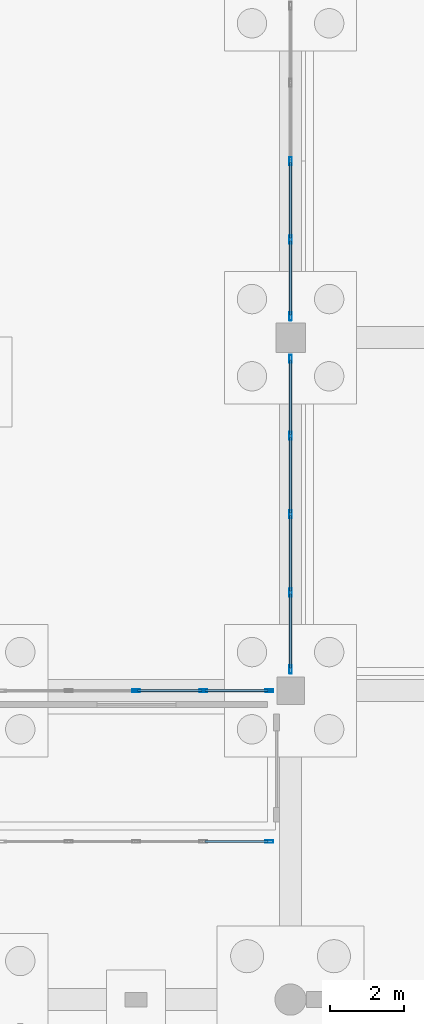
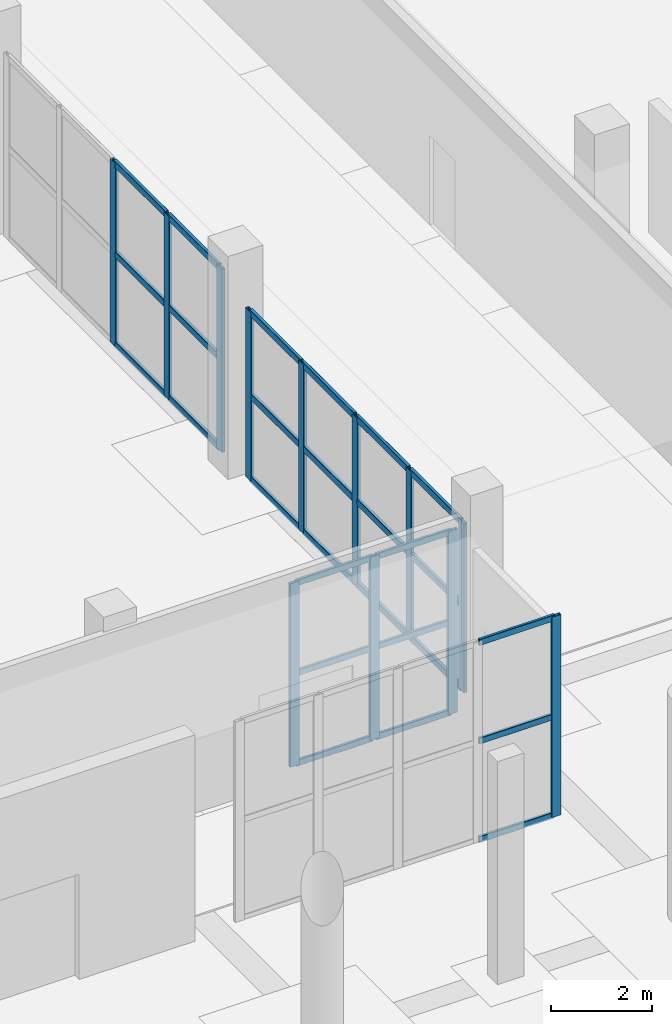
# One storey, part 18 of 65: 39 members, 4 elements without a shape of their own.
"""IFC4 building model written with IfcOpenShell, lengths in metres."""

from ifc_helpers import new_model, si_unit, direction, frame, origin, origin_2d, place, context, subcontext, project, spatial, hollow_rectangle, extrude, material, layer, layer_set, material_profile, profile_set, type_object, element, aggregate, save


model = new_model("IFC4")

# Units and contexts
model_context = context("Model", 3, precision=1e-05, world=origin(), true_north=direction((0.0, 1.0)))
body_context = subcontext(model_context, "Body", "Model", "MODEL_VIEW")
ifc_project = project(units=[si_unit("LENGTHUNIT", "METRE"), si_unit("AREAUNIT", "SQUARE_METRE"), si_unit("VOLUMEUNIT", "CUBIC_METRE"), si_unit("PLANEANGLEUNIT", "RADIAN"), si_unit("MASSUNIT", "GRAM", prefix="KILO")], contexts=[model_context])

# Site, building, storey
site_placement = place(None, origin())
site = spatial("IfcSite", under=ifc_project, at=site_placement, CompositionType="ELEMENT")
building_placement = place(site_placement, origin())
building = spatial("IfcBuilding", under=site, at=building_placement, Name="Zulmaris Art Gallery", CompositionType="ELEMENT")
storey_placement = place(building_placement, origin())
storey = spatial("IfcBuildingStorey", under=building, at=storey_placement, Name="L00", CompositionType="ELEMENT", Elevation=0.0)

# Curtain wall, member
ifc_material_1 = material(Name="Cloister & Court Glazed Curtain Wall", Category="aluminium")
ifc_layer_1 = layer(ifc_material_1, 0.179931640625)
ifc_layer_set_1 = layer_set([ifc_layer_1], Name="Cloister & Court Glazed Curtain Wall")
curtain_wall_type_1 = type_object("IfcCurtainWallType", Name="CW-CW03", PredefinedType="NOTDEFINED", material=ifc_layer_set_1)
curtain_wall_1_placement = place(storey_placement, origin())
curtain_wall_1 = element("IfcCurtainWall", 1, at=curtain_wall_1_placement, inside=storey, type_object=curtain_wall_type_1, Name="L00 curtain wall 56", PredefinedType="NOTDEFINED")
ifc_material_2 = material(Name="Anodised Bronze Aluminium", Category="aluminium")
ifc_material_profile_1 = material_profile(ifc_material_2, hollow_rectangle(XDim=0.074951171875, YDim=0.219970703125, WallThickness=0.0048828125, InnerFilletRadius=0.007568359375, OuterFilletRadius=0.012451171875, at=origin_2d()), Name="ALU 75x220x5")
ifc_profile_set_1 = profile_set([ifc_material_profile_1], Name="Anodised Bronze Aluminium")
member_type_1 = type_object("IfcMemberType", Name="CWMUL-02", PredefinedType="MULLION", material=ifc_profile_set_1)
member_1_placement = place(storey_placement, frame((124.222412109375, 17.5, 0.0), z_axis=(0.0, 0.0, 1.0), x_axis=(0.0, 1.0, 0.0)))
member_1 = element("IfcMember", 2, at=member_1_placement, type_object=member_type_1, Name="CW03 mullion 5", PredefinedType="MULLION", context=body_context, shape_type="SweptSolid", body=[
    extrude(hollow_rectangle(XDim=0.074951171875, YDim=0.219970703125, WallThickness=0.0048828125, InnerFilletRadius=0.007568359375, OuterFilletRadius=0.012451171875, at=origin_2d()), origin(), (0.0, 0.0, 1.0), 4.85009765625),
])

# Curtain wall, members
ifc_material_3 = material(Name="Unitised Low-E Gallery Curtain Wall", Category="aluminium")
ifc_layer_2 = layer(ifc_material_3, 0.179931640625)
ifc_layer_set_2 = layer_set([ifc_layer_2], Name="Unitised Low-E Gallery Curtain Wall")
curtain_wall_type_2 = type_object("IfcCurtainWallType", Name="CW-CW01", PredefinedType="NOTDEFINED", material=ifc_layer_set_2)
curtain_wall_2_placement = place(storey_placement, origin())
curtain_wall_2 = element("IfcCurtainWall", 3, at=curtain_wall_2_placement, inside=storey, type_object=curtain_wall_type_2, Name="L00 curtain wall 90", PredefinedType="NOTDEFINED")
member_2_placement = place(storey_placement, frame((124.800048828125, 22.177490234375, 0.0), z_axis=(0.0, 0.0, 1.0), x_axis=(-1.0, 0.0, 0.0)))
member_2 = element("IfcMember", 4, at=member_2_placement, type_object=member_type_1, Name="CW01 mullion 1", PredefinedType="MULLION", context=body_context, shape_type="SweptSolid", body=[
    extrude(hollow_rectangle(XDim=0.074951171875, YDim=0.219970703125, WallThickness=0.0048828125, InnerFilletRadius=0.007568359375, OuterFilletRadius=0.012451171875, at=origin_2d()), origin(), (0.0, 0.0, 1.0), 4.090087890625),
])
member_3_placement = place(storey_placement, frame((124.800048828125, 24.27001953125, 0.0), z_axis=(0.0, 0.0, 1.0), x_axis=(-1.0, 0.0, 0.0)))
member_3 = element("IfcMember", 5, at=member_3_placement, type_object=member_type_1, Name="CW01 mullion 2", PredefinedType="MULLION", context=body_context, shape_type="SweptSolid", body=[
    extrude(hollow_rectangle(XDim=0.074951171875, YDim=0.219970703125, WallThickness=0.0048828125, InnerFilletRadius=0.007568359375, OuterFilletRadius=0.012451171875, at=origin_2d()), origin(), (0.0, 0.0, 1.0), 4.090087890625),
])
member_4_placement = place(storey_placement, frame((124.800048828125, 26.39990234375, 0.0), z_axis=(0.0, 0.0, 1.0), x_axis=(-1.0, 0.0, 0.0)))
member_4 = element("IfcMember", 6, at=member_4_placement, type_object=member_type_1, Name="CW01 mullion 3", PredefinedType="MULLION", context=body_context, shape_type="SweptSolid", body=[
    extrude(hollow_rectangle(XDim=0.074951171875, YDim=0.219970703125, WallThickness=0.0048828125, InnerFilletRadius=0.007568359375, OuterFilletRadius=0.012451171875, at=origin_2d()), origin(), (0.0, 0.0, 1.0), 4.090087890625),
])
member_5_placement = place(storey_placement, frame((124.800048828125, 28.530029296875, 0.0), z_axis=(0.0, 0.0, 1.0), x_axis=(-1.0, 0.0, 0.0)))
member_5 = element("IfcMember", 7, at=member_5_placement, type_object=member_type_1, Name="CW01 mullion 4", PredefinedType="MULLION", context=body_context, shape_type="SweptSolid", body=[
    extrude(hollow_rectangle(XDim=0.074951171875, YDim=0.219970703125, WallThickness=0.0048828125, InnerFilletRadius=0.007568359375, OuterFilletRadius=0.012451171875, at=origin_2d()), origin(), (0.0, 0.0, 1.0), 4.090087890625),
])
member_6_placement = place(storey_placement, frame((124.800048828125, 30.62255859375, 0.0), z_axis=(0.0, 0.0, 1.0), x_axis=(-1.0, 0.0, 0.0)))
member_6 = element("IfcMember", 8, at=member_6_placement, type_object=member_type_1, Name="CW01 mullion 5", PredefinedType="MULLION", context=body_context, shape_type="SweptSolid", body=[
    extrude(hollow_rectangle(XDim=0.074951171875, YDim=0.219970703125, WallThickness=0.0048828125, InnerFilletRadius=0.007568359375, OuterFilletRadius=0.012451171875, at=origin_2d()), origin(), (0.0, 0.0, 1.0), 4.090087890625),
])

curtain_wall_3_placement = place(storey_placement, origin())
curtain_wall_3 = element("IfcCurtainWall", 9, at=curtain_wall_3_placement, inside=storey, type_object=curtain_wall_type_2, Name="L00 curtain wall 91", PredefinedType="NOTDEFINED")
member_7_placement = place(storey_placement, frame((124.800048828125, 31.777587890625, 0.0), z_axis=(0.0, 0.0, 1.0), x_axis=(-1.0, 0.0, 0.0)))
member_7 = element("IfcMember", 10, at=member_7_placement, type_object=member_type_1, Name="CW01 mullion 1", PredefinedType="MULLION", context=body_context, shape_type="SweptSolid", body=[
    extrude(hollow_rectangle(XDim=0.074951171875, YDim=0.219970703125, WallThickness=0.0048828125, InnerFilletRadius=0.007568359375, OuterFilletRadius=0.012451171875, at=origin_2d()), origin(), (0.0, 0.0, 1.0), 4.43994140625),
])
member_8_placement = place(storey_placement, frame((124.800048828125, 33.8701171875, 0.0), z_axis=(0.0, 0.0, 1.0), x_axis=(-1.0, 0.0, 0.0)))
member_8 = element("IfcMember", 11, at=member_8_placement, type_object=member_type_1, Name="CW01 mullion 2", PredefinedType="MULLION", context=body_context, shape_type="SweptSolid", body=[
    extrude(hollow_rectangle(XDim=0.074951171875, YDim=0.219970703125, WallThickness=0.0048828125, InnerFilletRadius=0.007568359375, OuterFilletRadius=0.012451171875, at=origin_2d()), origin(), (0.0, 0.0, 1.0), 4.43994140625),
])
member_9_placement = place(storey_placement, frame((124.800048828125, 36.0, 0.0), z_axis=(0.0, 0.0, 1.0), x_axis=(-1.0, 0.0, 0.0)))
member_9 = element("IfcMember", 12, at=member_9_placement, type_object=member_type_1, Name="CW01 mullion 3", PredefinedType="MULLION", context=body_context, shape_type="SweptSolid", body=[
    extrude(hollow_rectangle(XDim=0.074951171875, YDim=0.219970703125, WallThickness=0.0048828125, InnerFilletRadius=0.007568359375, OuterFilletRadius=0.012451171875, at=origin_2d()), origin(), (0.0, 0.0, 1.0), 4.43994140625),
])

curtain_wall_4_placement = place(storey_placement, origin())
curtain_wall_4 = element("IfcCurtainWall", 13, at=curtain_wall_4_placement, inside=storey, type_object=curtain_wall_type_1, Name="L00 curtain wall 188", PredefinedType="NOTDEFINED")
member_10_placement = place(storey_placement, frame((120.60009765625, 21.60009765625, 0.0), z_axis=(0.0, 0.0, 1.0), x_axis=(0.0, 1.0, 0.0)))
member_10 = element("IfcMember", 14, at=member_10_placement, type_object=member_type_1, Name="CW03 mullion 3", PredefinedType="MULLION", context=body_context, shape_type="SweptSolid", body=[
    extrude(hollow_rectangle(XDim=0.074951171875, YDim=0.219970703125, WallThickness=0.0048828125, InnerFilletRadius=0.007568359375, OuterFilletRadius=0.012451171875, at=origin_2d()), origin(), (0.0, 0.0, 1.0), 4.43994140625),
])
member_11_placement = place(storey_placement, frame((122.429931640625, 21.60009765625, 0.0), z_axis=(0.0, 0.0, 1.0), x_axis=(0.0, 1.0, 0.0)))
member_11 = element("IfcMember", 15, at=member_11_placement, type_object=member_type_1, Name="CW03 mullion 4", PredefinedType="MULLION", context=body_context, shape_type="SweptSolid", body=[
    extrude(hollow_rectangle(XDim=0.074951171875, YDim=0.219970703125, WallThickness=0.0048828125, InnerFilletRadius=0.007568359375, OuterFilletRadius=0.012451171875, at=origin_2d()), origin(), (0.0, 0.0, 1.0), 4.43994140625),
])
member_12_placement = place(storey_placement, frame((124.222412109375, 21.60009765625, 0.0), z_axis=(0.0, 0.0, 1.0), x_axis=(0.0, 1.0, 0.0)))
member_12 = element("IfcMember", 16, at=member_12_placement, type_object=member_type_1, Name="CW03 mullion 5", PredefinedType="MULLION", context=body_context, shape_type="SweptSolid", body=[
    extrude(hollow_rectangle(XDim=0.074951171875, YDim=0.219970703125, WallThickness=0.0048828125, InnerFilletRadius=0.007568359375, OuterFilletRadius=0.012451171875, at=origin_2d()), origin(), (0.0, 0.0, 1.0), 4.43994140625),
])

# Member
ifc_material_profile_2 = material_profile(ifc_material_2, hollow_rectangle(XDim=0.06494140625, YDim=0.14990234375, WallThickness=0.00390625, InnerFilletRadius=0.006103515625, OuterFilletRadius=0.010009765625, at=origin_2d()), Name="ALU 65x150x4")
ifc_profile_set_2 = profile_set([ifc_material_profile_2], Name="Anodised Bronze Aluminium")
member_type_2 = type_object("IfcMemberType", Name="CWTRN-01", PredefinedType="USERDEFINED", material=ifc_profile_set_2)
member_13_placement = place(storey_placement, frame((122.467529296875, 17.5, 0.03759765625), z_axis=(1.0, 0.0, 0.0), x_axis=(0.0, 1.0, 0.0)))
member_13 = element("IfcMember", 17, at=member_13_placement, type_object=member_type_2, Name="CW03 transom 4.1", ObjectType="TRANSOM", PredefinedType="USERDEFINED", context=body_context, shape_type="SweptSolid", body=[
    extrude(hollow_rectangle(XDim=0.06494140625, YDim=0.14990234375, WallThickness=0.00390625, InnerFilletRadius=0.006103515625, OuterFilletRadius=0.010009765625, at=origin_2d()), origin(), (0.0, 0.0, 1.0), 1.717529296875),
])

member_14_placement = place(storey_placement, frame((122.467529296875, 17.5, 2.425048828125), z_axis=(1.0, 0.0, 0.0), x_axis=(0.0, 1.0, 0.0)))
member_14 = element("IfcMember", 18, at=member_14_placement, type_object=member_type_2, Name="CW03 transom 4.2", ObjectType="TRANSOM", PredefinedType="USERDEFINED", context=body_context, shape_type="SweptSolid", body=[
    extrude(hollow_rectangle(XDim=0.06494140625, YDim=0.14990234375, WallThickness=0.00390625, InnerFilletRadius=0.006103515625, OuterFilletRadius=0.010009765625, at=origin_2d()), origin(), (0.0, 0.0, 1.0), 1.717529296875),
])

member_15_placement = place(storey_placement, frame((122.467529296875, 17.5, 4.8125), z_axis=(1.0, 0.0, 0.0), x_axis=(0.0, 1.0, 0.0)))
member_15 = element("IfcMember", 19, at=member_15_placement, type_object=member_type_2, Name="CW03 transom 4.3", ObjectType="TRANSOM", PredefinedType="USERDEFINED", context=body_context, shape_type="SweptSolid", body=[
    extrude(hollow_rectangle(XDim=0.06494140625, YDim=0.14990234375, WallThickness=0.00390625, InnerFilletRadius=0.006103515625, OuterFilletRadius=0.010009765625, at=origin_2d()), origin(), (0.0, 0.0, 1.0), 1.717529296875),
])

aggregate(curtain_wall_1, [member_1, member_13, member_14, member_15])

member_16_placement = place(storey_placement, frame((120.637451171875, 21.60009765625, 0.03759765625), z_axis=(1.0, 0.0, 0.0), x_axis=(0.0, 1.0, 0.0)))
member_16 = element("IfcMember", 20, at=member_16_placement, type_object=member_type_2, Name="CW03 transom 3.1", ObjectType="TRANSOM", PredefinedType="USERDEFINED", context=body_context, shape_type="SweptSolid", body=[
    extrude(hollow_rectangle(XDim=0.06494140625, YDim=0.14990234375, WallThickness=0.00390625, InnerFilletRadius=0.006103515625, OuterFilletRadius=0.010009765625, at=origin_2d()), origin(), (0.0, 0.0, 1.0), 1.755126953125),
])

member_17_placement = place(storey_placement, frame((120.637451171875, 21.60009765625, 2.219970703125), z_axis=(1.0, 0.0, 0.0), x_axis=(0.0, 1.0, 0.0)))
member_17 = element("IfcMember", 21, at=member_17_placement, type_object=member_type_2, Name="CW03 transom 3.2", ObjectType="TRANSOM", PredefinedType="USERDEFINED", context=body_context, shape_type="SweptSolid", body=[
    extrude(hollow_rectangle(XDim=0.06494140625, YDim=0.14990234375, WallThickness=0.00390625, InnerFilletRadius=0.006103515625, OuterFilletRadius=0.010009765625, at=origin_2d()), origin(), (0.0, 0.0, 1.0), 1.755126953125),
])

member_18_placement = place(storey_placement, frame((120.637451171875, 21.60009765625, 4.402587890625), z_axis=(1.0, 0.0, 0.0), x_axis=(0.0, 1.0, 0.0)))
member_18 = element("IfcMember", 22, at=member_18_placement, type_object=member_type_2, Name="CW03 transom 3.3", ObjectType="TRANSOM", PredefinedType="USERDEFINED", context=body_context, shape_type="SweptSolid", body=[
    extrude(hollow_rectangle(XDim=0.06494140625, YDim=0.14990234375, WallThickness=0.00390625, InnerFilletRadius=0.006103515625, OuterFilletRadius=0.010009765625, at=origin_2d()), origin(), (0.0, 0.0, 1.0), 1.755126953125),
])

member_19_placement = place(storey_placement, frame((122.467529296875, 21.60009765625, 0.03759765625), z_axis=(1.0, 0.0, 0.0), x_axis=(0.0, 1.0, 0.0)))
member_19 = element("IfcMember", 23, at=member_19_placement, type_object=member_type_2, Name="CW03 transom 4.1", ObjectType="TRANSOM", PredefinedType="USERDEFINED", context=body_context, shape_type="SweptSolid", body=[
    extrude(hollow_rectangle(XDim=0.06494140625, YDim=0.14990234375, WallThickness=0.00390625, InnerFilletRadius=0.006103515625, OuterFilletRadius=0.010009765625, at=origin_2d()), origin(), (0.0, 0.0, 1.0), 1.717529296875),
])

member_20_placement = place(storey_placement, frame((122.467529296875, 21.60009765625, 2.219970703125), z_axis=(1.0, 0.0, 0.0), x_axis=(0.0, 1.0, 0.0)))
member_20 = element("IfcMember", 24, at=member_20_placement, type_object=member_type_2, Name="CW03 transom 4.2", ObjectType="TRANSOM", PredefinedType="USERDEFINED", context=body_context, shape_type="SweptSolid", body=[
    extrude(hollow_rectangle(XDim=0.06494140625, YDim=0.14990234375, WallThickness=0.00390625, InnerFilletRadius=0.006103515625, OuterFilletRadius=0.010009765625, at=origin_2d()), origin(), (0.0, 0.0, 1.0), 1.717529296875),
])

member_21_placement = place(storey_placement, frame((122.467529296875, 21.60009765625, 4.402587890625), z_axis=(1.0, 0.0, 0.0), x_axis=(0.0, 1.0, 0.0)))
member_21 = element("IfcMember", 25, at=member_21_placement, type_object=member_type_2, Name="CW03 transom 4.3", ObjectType="TRANSOM", PredefinedType="USERDEFINED", context=body_context, shape_type="SweptSolid", body=[
    extrude(hollow_rectangle(XDim=0.06494140625, YDim=0.14990234375, WallThickness=0.00390625, InnerFilletRadius=0.006103515625, OuterFilletRadius=0.010009765625, at=origin_2d()), origin(), (0.0, 0.0, 1.0), 1.717529296875),
])

aggregate(curtain_wall_4, [member_10, member_11, member_12, member_16, member_17, member_18, member_19, member_20, member_21])

ifc_material_profile_3 = material_profile(ifc_material_2, hollow_rectangle(XDim=0.074951171875, YDim=0.159912109375, WallThickness=0.00390625, InnerFilletRadius=0.006103515625, OuterFilletRadius=0.010009765625, at=origin_2d()), Name="ALU 75x160x4")
ifc_profile_set_3 = profile_set([ifc_material_profile_3], Name="Anodised Bronze Aluminium")
member_type_3 = type_object("IfcMemberType", Name="CWTRN-02", PredefinedType="USERDEFINED", material=ifc_profile_set_3)
member_22_placement = place(storey_placement, frame((124.800048828125, 22.215087890625, 0.03759765625), z_axis=(0.0, 1.0, 0.0), x_axis=(-1.0, 0.0, 0.0)))
member_22 = element("IfcMember", 26, at=member_22_placement, type_object=member_type_3, Name="CW01 transom 1.1", ObjectType="TRANSOM", PredefinedType="USERDEFINED", context=body_context, shape_type="SweptSolid", body=[
    extrude(hollow_rectangle(XDim=0.074951171875, YDim=0.159912109375, WallThickness=0.00390625, InnerFilletRadius=0.006103515625, OuterFilletRadius=0.010009765625, at=origin_2d()), origin(), (0.0, 0.0, 1.0), 2.017333984375),
])

member_23_placement = place(storey_placement, frame((124.800048828125, 22.215087890625, 2.044921875), z_axis=(0.0, 1.0, 0.0), x_axis=(-1.0, 0.0, 0.0)))
member_23 = element("IfcMember", 27, at=member_23_placement, type_object=member_type_3, Name="CW01 transom 1.2", ObjectType="TRANSOM", PredefinedType="USERDEFINED", context=body_context, shape_type="SweptSolid", body=[
    extrude(hollow_rectangle(XDim=0.074951171875, YDim=0.159912109375, WallThickness=0.00390625, InnerFilletRadius=0.006103515625, OuterFilletRadius=0.010009765625, at=origin_2d()), origin(), (0.0, 0.0, 1.0), 2.017333984375),
])

member_24_placement = place(storey_placement, frame((124.800048828125, 22.215087890625, 4.052490234375), z_axis=(0.0, 1.0, 0.0), x_axis=(-1.0, 0.0, 0.0)))
member_24 = element("IfcMember", 28, at=member_24_placement, type_object=member_type_3, Name="CW01 transom 1.3", ObjectType="TRANSOM", PredefinedType="USERDEFINED", context=body_context, shape_type="SweptSolid", body=[
    extrude(hollow_rectangle(XDim=0.074951171875, YDim=0.159912109375, WallThickness=0.00390625, InnerFilletRadius=0.006103515625, OuterFilletRadius=0.010009765625, at=origin_2d()), origin(), (0.0, 0.0, 1.0), 2.017333984375),
])

member_25_placement = place(storey_placement, frame((124.800048828125, 24.3076171875, 0.03759765625), z_axis=(0.0, 1.0, 0.0), x_axis=(-1.0, 0.0, 0.0)))
member_25 = element("IfcMember", 29, at=member_25_placement, type_object=member_type_3, Name="CW01 transom 2.1", ObjectType="TRANSOM", PredefinedType="USERDEFINED", context=body_context, shape_type="SweptSolid", body=[
    extrude(hollow_rectangle(XDim=0.074951171875, YDim=0.159912109375, WallThickness=0.00390625, InnerFilletRadius=0.006103515625, OuterFilletRadius=0.010009765625, at=origin_2d()), origin(), (0.0, 0.0, 1.0), 2.054931640625),
])

member_26_placement = place(storey_placement, frame((124.800048828125, 24.3076171875, 2.044921875), z_axis=(0.0, 1.0, 0.0), x_axis=(-1.0, 0.0, 0.0)))
member_26 = element("IfcMember", 30, at=member_26_placement, type_object=member_type_3, Name="CW01 transom 2.2", ObjectType="TRANSOM", PredefinedType="USERDEFINED", context=body_context, shape_type="SweptSolid", body=[
    extrude(hollow_rectangle(XDim=0.074951171875, YDim=0.159912109375, WallThickness=0.00390625, InnerFilletRadius=0.006103515625, OuterFilletRadius=0.010009765625, at=origin_2d()), origin(), (0.0, 0.0, 1.0), 2.054931640625),
])

member_27_placement = place(storey_placement, frame((124.800048828125, 24.3076171875, 4.052490234375), z_axis=(0.0, 1.0, 0.0), x_axis=(-1.0, 0.0, 0.0)))
member_27 = element("IfcMember", 31, at=member_27_placement, type_object=member_type_3, Name="CW01 transom 2.3", ObjectType="TRANSOM", PredefinedType="USERDEFINED", context=body_context, shape_type="SweptSolid", body=[
    extrude(hollow_rectangle(XDim=0.074951171875, YDim=0.159912109375, WallThickness=0.00390625, InnerFilletRadius=0.006103515625, OuterFilletRadius=0.010009765625, at=origin_2d()), origin(), (0.0, 0.0, 1.0), 2.054931640625),
])

member_28_placement = place(storey_placement, frame((124.800048828125, 26.4375, 0.03759765625), z_axis=(0.0, 1.0, 0.0), x_axis=(-1.0, 0.0, 0.0)))
member_28 = element("IfcMember", 32, at=member_28_placement, type_object=member_type_3, Name="CW01 transom 3.1", ObjectType="TRANSOM", PredefinedType="USERDEFINED", context=body_context, shape_type="SweptSolid", body=[
    extrude(hollow_rectangle(XDim=0.074951171875, YDim=0.159912109375, WallThickness=0.00390625, InnerFilletRadius=0.006103515625, OuterFilletRadius=0.010009765625, at=origin_2d()), origin(), (0.0, 0.0, 1.0), 2.054931640625),
])

member_29_placement = place(storey_placement, frame((124.800048828125, 26.4375, 2.044921875), z_axis=(0.0, 1.0, 0.0), x_axis=(-1.0, 0.0, 0.0)))
member_29 = element("IfcMember", 33, at=member_29_placement, type_object=member_type_3, Name="CW01 transom 3.2", ObjectType="TRANSOM", PredefinedType="USERDEFINED", context=body_context, shape_type="SweptSolid", body=[
    extrude(hollow_rectangle(XDim=0.074951171875, YDim=0.159912109375, WallThickness=0.00390625, InnerFilletRadius=0.006103515625, OuterFilletRadius=0.010009765625, at=origin_2d()), origin(), (0.0, 0.0, 1.0), 2.054931640625),
])

member_30_placement = place(storey_placement, frame((124.800048828125, 26.4375, 4.052490234375), z_axis=(0.0, 1.0, 0.0), x_axis=(-1.0, 0.0, 0.0)))
member_30 = element("IfcMember", 34, at=member_30_placement, type_object=member_type_3, Name="CW01 transom 3.3", ObjectType="TRANSOM", PredefinedType="USERDEFINED", context=body_context, shape_type="SweptSolid", body=[
    extrude(hollow_rectangle(XDim=0.074951171875, YDim=0.159912109375, WallThickness=0.00390625, InnerFilletRadius=0.006103515625, OuterFilletRadius=0.010009765625, at=origin_2d()), origin(), (0.0, 0.0, 1.0), 2.054931640625),
])

member_31_placement = place(storey_placement, frame((124.800048828125, 28.5673828125, 0.03759765625), z_axis=(0.0, 1.0, 0.0), x_axis=(-1.0, 0.0, 0.0)))
member_31 = element("IfcMember", 35, at=member_31_placement, type_object=member_type_3, Name="CW01 transom 4.1", ObjectType="TRANSOM", PredefinedType="USERDEFINED", context=body_context, shape_type="SweptSolid", body=[
    extrude(hollow_rectangle(XDim=0.074951171875, YDim=0.159912109375, WallThickness=0.00390625, InnerFilletRadius=0.006103515625, OuterFilletRadius=0.010009765625, at=origin_2d()), origin(), (0.0, 0.0, 1.0), 2.017578125),
])

member_32_placement = place(storey_placement, frame((124.800048828125, 28.5673828125, 2.044921875), z_axis=(0.0, 1.0, 0.0), x_axis=(-1.0, 0.0, 0.0)))
member_32 = element("IfcMember", 36, at=member_32_placement, type_object=member_type_3, Name="CW01 transom 4.2", ObjectType="TRANSOM", PredefinedType="USERDEFINED", context=body_context, shape_type="SweptSolid", body=[
    extrude(hollow_rectangle(XDim=0.074951171875, YDim=0.159912109375, WallThickness=0.00390625, InnerFilletRadius=0.006103515625, OuterFilletRadius=0.010009765625, at=origin_2d()), origin(), (0.0, 0.0, 1.0), 2.017578125),
])

member_33_placement = place(storey_placement, frame((124.800048828125, 28.5673828125, 4.052490234375), z_axis=(0.0, 1.0, 0.0), x_axis=(-1.0, 0.0, 0.0)))
member_33 = element("IfcMember", 37, at=member_33_placement, type_object=member_type_3, Name="CW01 transom 4.3", ObjectType="TRANSOM", PredefinedType="USERDEFINED", context=body_context, shape_type="SweptSolid", body=[
    extrude(hollow_rectangle(XDim=0.074951171875, YDim=0.159912109375, WallThickness=0.00390625, InnerFilletRadius=0.006103515625, OuterFilletRadius=0.010009765625, at=origin_2d()), origin(), (0.0, 0.0, 1.0), 2.017578125),
])

aggregate(curtain_wall_2, [member_2, member_3, member_4, member_5, member_6, member_22, member_23, member_24, member_25, member_26, member_27, member_28, member_29, member_30, member_31, member_32, member_33])

member_34_placement = place(storey_placement, frame((124.800048828125, 31.81494140625, 0.03759765625), z_axis=(0.0, 1.0, 0.0), x_axis=(-1.0, 0.0, 0.0)))
member_34 = element("IfcMember", 38, at=member_34_placement, type_object=member_type_3, Name="CW01 transom 1.1", ObjectType="TRANSOM", PredefinedType="USERDEFINED", context=body_context, shape_type="SweptSolid", body=[
    extrude(hollow_rectangle(XDim=0.074951171875, YDim=0.159912109375, WallThickness=0.00390625, InnerFilletRadius=0.006103515625, OuterFilletRadius=0.010009765625, at=origin_2d()), origin(), (0.0, 0.0, 1.0), 2.017578125),
])

member_35_placement = place(storey_placement, frame((124.800048828125, 31.81494140625, 2.219970703125), z_axis=(0.0, 1.0, 0.0), x_axis=(-1.0, 0.0, 0.0)))
member_35 = element("IfcMember", 39, at=member_35_placement, type_object=member_type_3, Name="CW01 transom 1.2", ObjectType="TRANSOM", PredefinedType="USERDEFINED", context=body_context, shape_type="SweptSolid", body=[
    extrude(hollow_rectangle(XDim=0.074951171875, YDim=0.159912109375, WallThickness=0.00390625, InnerFilletRadius=0.006103515625, OuterFilletRadius=0.010009765625, at=origin_2d()), origin(), (0.0, 0.0, 1.0), 2.017578125),
])

member_36_placement = place(storey_placement, frame((124.800048828125, 31.81494140625, 4.402587890625), z_axis=(0.0, 1.0, 0.0), x_axis=(-1.0, 0.0, 0.0)))
member_36 = element("IfcMember", 40, at=member_36_placement, type_object=member_type_3, Name="CW01 transom 1.3", ObjectType="TRANSOM", PredefinedType="USERDEFINED", context=body_context, shape_type="SweptSolid", body=[
    extrude(hollow_rectangle(XDim=0.074951171875, YDim=0.159912109375, WallThickness=0.00390625, InnerFilletRadius=0.006103515625, OuterFilletRadius=0.010009765625, at=origin_2d()), origin(), (0.0, 0.0, 1.0), 2.017578125),
])

member_37_placement = place(storey_placement, frame((124.800048828125, 33.907470703125, 0.03759765625), z_axis=(0.0, 1.0, 0.0), x_axis=(-1.0, 0.0, 0.0)))
member_37 = element("IfcMember", 41, at=member_37_placement, type_object=member_type_3, Name="CW01 transom 2.1", ObjectType="TRANSOM", PredefinedType="USERDEFINED", context=body_context, shape_type="SweptSolid", body=[
    extrude(hollow_rectangle(XDim=0.074951171875, YDim=0.159912109375, WallThickness=0.00390625, InnerFilletRadius=0.006103515625, OuterFilletRadius=0.010009765625, at=origin_2d()), origin(), (0.0, 0.0, 1.0), 2.054931640625),
])

member_38_placement = place(storey_placement, frame((124.800048828125, 33.907470703125, 2.219970703125), z_axis=(0.0, 1.0, 0.0), x_axis=(-1.0, 0.0, 0.0)))
member_38 = element("IfcMember", 42, at=member_38_placement, type_object=member_type_3, Name="CW01 transom 2.2", ObjectType="TRANSOM", PredefinedType="USERDEFINED", context=body_context, shape_type="SweptSolid", body=[
    extrude(hollow_rectangle(XDim=0.074951171875, YDim=0.159912109375, WallThickness=0.00390625, InnerFilletRadius=0.006103515625, OuterFilletRadius=0.010009765625, at=origin_2d()), origin(), (0.0, 0.0, 1.0), 2.054931640625),
])

member_39_placement = place(storey_placement, frame((124.800048828125, 33.907470703125, 4.402587890625), z_axis=(0.0, 1.0, 0.0), x_axis=(-1.0, 0.0, 0.0)))
member_39 = element("IfcMember", 43, at=member_39_placement, type_object=member_type_3, Name="CW01 transom 2.3", ObjectType="TRANSOM", PredefinedType="USERDEFINED", context=body_context, shape_type="SweptSolid", body=[
    extrude(hollow_rectangle(XDim=0.074951171875, YDim=0.159912109375, WallThickness=0.00390625, InnerFilletRadius=0.006103515625, OuterFilletRadius=0.010009765625, at=origin_2d()), origin(), (0.0, 0.0, 1.0), 2.054931640625),
])

aggregate(curtain_wall_3, [member_7, member_8, member_9, member_34, member_35, member_36, member_37, member_38, member_39])

save(model, "model.ifc")
